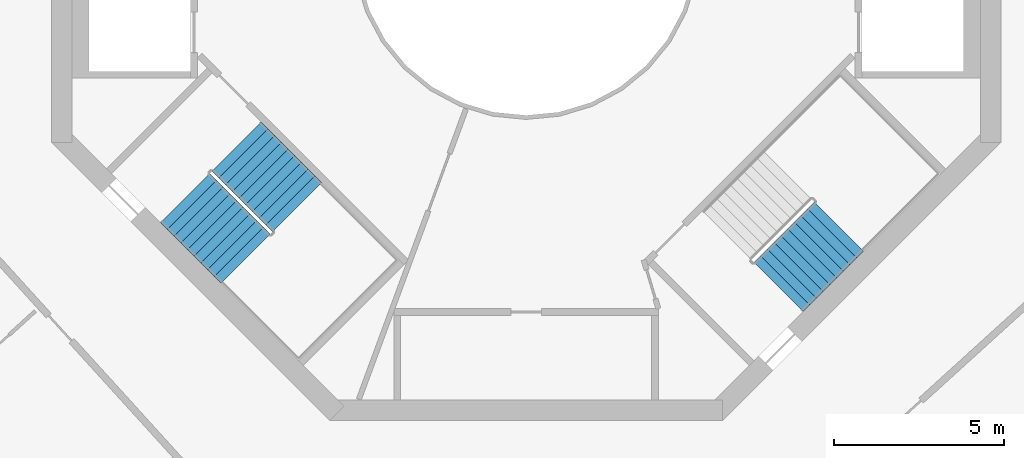
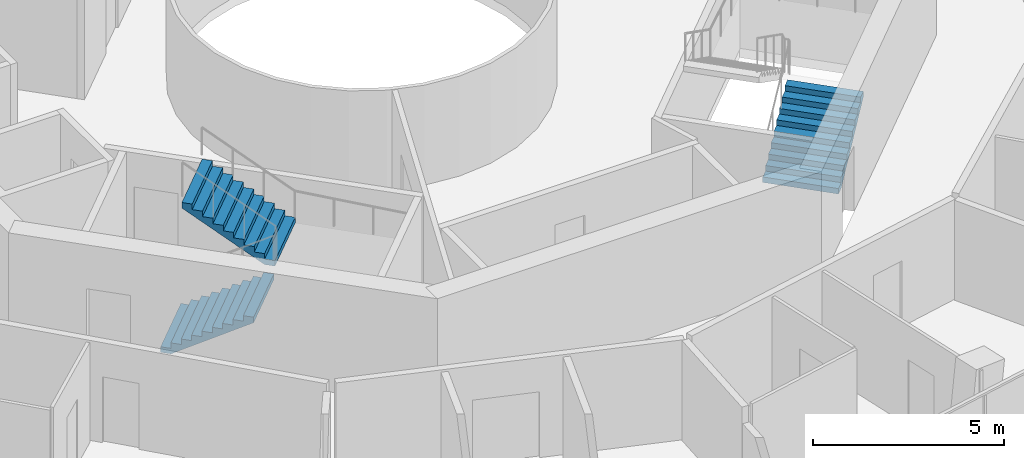
# One storey, part 21 of 23: 3 stair flights, 2 elements without a shape of their own.
"""IFC4 building model written with IfcOpenShell, lengths in metres."""

from ifc_helpers import new_model, si_unit, direction, frame, origin, place, context, subcontext, project, spatial, triangles, material, type_object, element, aggregate, save


model = new_model("IFC4")

# Units and contexts
model_context = context("Model", 3, precision=1e-05, world=origin(), true_north=direction((0.0, 1.0)))
body_context = subcontext(model_context, "Body", "Model", "MODEL_VIEW")
ifc_project = project(units=[si_unit("LENGTHUNIT", "METRE"), si_unit("AREAUNIT", "SQUARE_METRE"), si_unit("VOLUMEUNIT", "CUBIC_METRE"), si_unit("PLANEANGLEUNIT", "RADIAN"), si_unit("MASSUNIT", "GRAM", prefix="KILO")], contexts=[model_context])

# Site, building, storey
site_placement = place(None, origin())
site = spatial("IfcSite", under=ifc_project, at=site_placement, CompositionType="ELEMENT")
building_placement = place(site_placement, origin())
building = spatial("IfcBuilding", under=site, at=building_placement, Name="Verdalira Terraces Hotel", CompositionType="ELEMENT")
storey_placement = place(building_placement, frame((0.0, 0.0, 205.5)))
storey = spatial("IfcBuildingStorey", under=building, at=storey_placement, Name="L50", CompositionType="ELEMENT", Elevation=205.5)

# Stair, stair flights
ifc_material_1 = material(Name="Concrete C40", Category="concrete")
stair_type = type_object("IfcStairType", Name="Core stair 20 risers 2050 mm wide", PredefinedType="HALF_TURN_STAIR", material=ifc_material_1)
stair_1_placement = place(storey_placement, origin())
stair_1 = element("IfcStair", 1, at=stair_1_placement, inside=storey, type_object=stair_type, Name="L50 Exit stair ST2", PredefinedType="HALF_TURN_STAIR")
ifc_material_2 = material(Name="Concrete C40", Category="concrete")
stair_flight_type = type_object("IfcStairFlightType", Name="Core stair flight 20 risers 2050 mm wide", PredefinedType="STRAIGHT", material=ifc_material_2)
stair_flight_1_placement = place(storey_placement, frame((-10.058594, -7.442383, 0.0), z_axis=(0.0, 0.0, 1.0), x_axis=(0.707106781, -0.707106781, 0.0)))
stair_flight_1 = element("IfcStairFlight", 2, at=stair_flight_1_placement, type_object=stair_flight_type, Name="ST2 flight 1", NumberOfRisers=10, NumberOfTreads=9, PredefinedType="STRAIGHT", RiserHeight=0.175, TreadLength=0.28, context=body_context, shape_type="Tessellation", body=[
    triangles([(0.0, 1.025024, 0.0), (0.282715, 1.025024, 0.0), (2.52002, 1.025024, 1.398193), (0.0, -1.025024, 0.0), (0.282715, -1.025024, 0.0), (2.52002, -1.025024, 1.398193), (2.52002, 1.025024, 1.574951), (2.23999, 1.025024, 1.574951), (2.52002, -1.025024, 1.574951), (2.23999, -1.025024, 1.574951), (2.23999, 1.025024, 1.399902), (2.23999, -1.025024, 1.399902), (1.959961, 1.025024, 1.399902), (1.959961, -1.025024, 1.399902), (1.959961, 1.025024, 1.225098), (1.959961, -1.025024, 1.225098), (1.679932, 1.025024, 1.225098), (1.679932, 1.025024, 1.050049), (1.679932, -1.025024, 1.225098), (1.679932, -1.025024, 1.050049), (1.399902, 1.025024, 1.050049), (1.399902, 1.025024, 0.875), (1.399902, -1.025024, 1.050049), (1.399902, -1.025024, 0.875), (1.120117, 1.025024, 0.875), (1.120117, 1.025024, 0.699951), (1.120117, -1.025024, 0.875), (1.120117, -1.025024, 0.699951), (0.840088, 1.025024, 0.699951), (0.840088, 1.025024, 0.524902), (0.840088, -1.025024, 0.699951), (0.840088, -1.025024, 0.524902), (0.560059, 1.025024, 0.524902), (0.560059, 1.025024, 0.350098), (0.560059, -1.025024, 0.524902), (0.560059, -1.025024, 0.350098), (0.280029, 1.025024, 0.350098), (0.280029, 1.025024, 0.175049), (0.280029, -1.025024, 0.350098), (0.280029, -1.025024, 0.175049), (0.0, 1.025024, 0.175049), (0.0, -1.025024, 0.175049), (0.0, -0.96096, 0.0), (0.0, -0.96096, 0.175049), (0.0, -0.896896, 0.0), (0.0, -0.896896, 0.175049), (0.0, -0.832832, 0.0), (0.0, -0.832832, 0.175049), (0.0, -0.768768, 0.0), (0.0, -0.768768, 0.175049), (0.0, -0.704704, 0.0), (0.0, -0.704704, 0.175049), (0.0, -0.64064, 0.0), (0.0, -0.64064, 0.175049), (0.0, -0.576576, 0.0), (0.0, -0.576576, 0.175049), (0.0, -0.512512, 0.0), (0.0, -0.512512, 0.175049), (0.0, -0.448448, 0.0), (0.0, -0.448448, 0.175049), (0.0, -0.384384, 0.0), (0.0, -0.384384, 0.175049), (0.0, -0.32032, 0.0), (0.0, -0.32032, 0.175049), (0.0, -0.256256, 0.0), (0.0, -0.256256, 0.175049), (0.0, -0.192192, 0.0), (0.0, -0.192192, 0.175049), (0.0, -0.128128, 0.0), (0.0, -0.128128, 0.175049), (0.0, -0.064064, 0.0), (0.0, -0.064064, 0.175049), (0.0, 0.0, 0.0), (0.0, 0.0, 0.175049), (0.0, 0.064064, 0.0), (0.0, 0.064064, 0.175049), (0.0, 0.128128, 0.0), (0.0, 0.128128, 0.175049), (0.0, 0.192192, 0.0), (0.0, 0.192192, 0.175049), (0.0, 0.256256, 0.0), (0.0, 0.256256, 0.175049), (0.0, 0.32032, 0.0), (0.0, 0.32032, 0.175049), (0.0, 0.384384, 0.0), (0.0, 0.384384, 0.175049), (0.0, 0.448448, 0.0), (0.0, 0.448448, 0.175049), (0.0, 0.512512, 0.0), (0.0, 0.512512, 0.175049), (0.0, 0.576576, 0.0), (0.0, 0.576576, 0.175049), (0.0, 0.64064, 0.0), (0.0, 0.64064, 0.175049), (0.0, 0.704704, 0.0), (0.0, 0.704704, 0.175049), (0.0, 0.768768, 0.0), (0.0, 0.768768, 0.175049), (0.0, 0.832832, 0.0), (0.0, 0.832832, 0.175049), (0.0, 0.896896, 0.0), (0.0, 0.896896, 0.175049), (0.0, 0.96096, 0.0), (0.0, 0.96096, 0.175049), (2.52002, -0.96096, 1.574951), (2.52002, -0.896896, 1.574951), (2.52002, -0.832832, 1.574951), (2.52002, -0.768768, 1.574951), (2.52002, -0.704704, 1.574951), (2.52002, -0.64064, 1.574951), (2.52002, -0.576576, 1.574951), (2.52002, -0.512512, 1.574951), (2.52002, -0.448448, 1.574951), (2.52002, -0.384384, 1.574951), (2.52002, -0.32032, 1.574951), (2.52002, -0.256256, 1.574951), (2.52002, -0.192192, 1.574951), (2.52002, -0.128128, 1.574951), (2.52002, -0.064064, 1.574951), (2.52002, 0.0, 1.574951), (2.52002, 0.064064, 1.574951), (2.52002, 0.128128, 1.574951), (2.52002, 0.192192, 1.574951), (2.52002, 0.256256, 1.574951), (2.52002, 0.32032, 1.574951), (2.52002, 0.384384, 1.574951), (2.52002, 0.448448, 1.574951), (2.52002, 0.512512, 1.574951), (2.52002, 0.576576, 1.574951), (2.52002, 0.64064, 1.574951), (2.52002, 0.704704, 1.574951), (2.52002, 0.768768, 1.574951), (2.52002, 0.832832, 1.574951), (2.52002, 0.896896, 1.574951), (2.52002, 0.96096, 1.574951), (2.52002, -0.96096, 1.398193), (2.52002, -0.896896, 1.398193), (2.52002, -0.832832, 1.398193), (2.52002, -0.768768, 1.398193), (2.52002, -0.704704, 1.398193), (2.52002, -0.64064, 1.398193), (2.52002, -0.576576, 1.398193), (2.52002, -0.512512, 1.398193), (2.52002, -0.448448, 1.398193), (2.52002, -0.384384, 1.398193), (2.52002, -0.32032, 1.398193), (2.52002, -0.256256, 1.398193), (2.52002, -0.192192, 1.398193), (2.52002, -0.128128, 1.398193), (2.52002, -0.064064, 1.398193), (2.52002, 0.0, 1.398193), (2.52002, 0.064064, 1.398193), (2.52002, 0.128128, 1.398193), (2.52002, 0.192192, 1.398193), (2.52002, 0.256256, 1.398193), (2.52002, 0.32032, 1.398193), (2.52002, 0.384384, 1.398193), (2.52002, 0.448448, 1.398193), (2.52002, 0.512512, 1.398193), (2.52002, 0.576576, 1.398193), (2.52002, 0.64064, 1.398193), (2.52002, 0.704704, 1.398193), (2.52002, 0.768768, 1.398193), (2.52002, 0.832832, 1.398193), (2.52002, 0.896896, 1.398193), (2.52002, 0.96096, 1.398193)], [[1, 3, 2], [4, 5, 6], [3, 8, 7], [6, 9, 10], [3, 11, 8], [6, 10, 12], [3, 13, 11], [6, 12, 14], [3, 15, 13], [6, 14, 16], [15, 18, 17], [16, 19, 20], [3, 18, 15], [6, 16, 20], [18, 22, 21], [20, 23, 24], [3, 22, 18], [6, 20, 24], [22, 26, 25], [24, 27, 28], [3, 26, 22], [6, 24, 28], [26, 30, 29], [28, 31, 32], [3, 30, 26], [6, 28, 32], [1, 30, 3], [4, 6, 32], [30, 34, 33], [32, 35, 36], [34, 38, 37], [36, 39, 40], [30, 38, 34], [32, 36, 40], [1, 38, 30], [4, 32, 40], [38, 1, 41], [40, 42, 4], [4, 44, 43], [4, 42, 44], [43, 46, 45], [43, 44, 46], [45, 48, 47], [45, 46, 48], [47, 50, 49], [47, 48, 50], [49, 52, 51], [49, 50, 52], [51, 54, 53], [51, 52, 54], [53, 56, 55], [53, 54, 56], [55, 58, 57], [55, 56, 58], [57, 60, 59], [57, 58, 60], [59, 62, 61], [59, 60, 62], [61, 64, 63], [61, 62, 64], [63, 66, 65], [63, 64, 66], [65, 68, 67], [65, 66, 68], [67, 70, 69], [67, 68, 70], [69, 72, 71], [69, 70, 72], [71, 74, 73], [71, 72, 74], [73, 76, 75], [73, 74, 76], [75, 78, 77], [75, 76, 78], [77, 80, 79], [77, 78, 80], [79, 82, 81], [79, 80, 82], [81, 84, 83], [81, 82, 84], [83, 86, 85], [83, 84, 86], [85, 88, 87], [85, 86, 88], [87, 90, 89], [87, 88, 90], [89, 92, 91], [89, 90, 92], [91, 94, 93], [91, 92, 94], [93, 96, 95], [93, 94, 96], [95, 98, 97], [95, 96, 98], [97, 100, 99], [97, 98, 100], [99, 102, 101], [99, 100, 102], [101, 104, 103], [101, 102, 104], [103, 41, 1], [103, 104, 41], [42, 40, 44], [44, 40, 46], [46, 40, 48], [48, 40, 50], [50, 40, 52], [52, 40, 54], [54, 40, 56], [56, 40, 58], [58, 40, 60], [60, 40, 62], [62, 40, 64], [64, 40, 66], [66, 40, 68], [68, 40, 70], [70, 40, 72], [72, 40, 74], [74, 40, 76], [76, 40, 78], [78, 40, 80], [80, 40, 82], [82, 40, 84], [84, 40, 86], [86, 40, 88], [88, 40, 90], [90, 40, 92], [92, 40, 94], [94, 40, 96], [96, 40, 98], [98, 40, 100], [100, 40, 102], [102, 40, 104], [104, 40, 41], [41, 40, 38], [40, 37, 38], [40, 39, 37], [39, 34, 37], [39, 36, 34], [36, 33, 34], [36, 35, 33], [35, 30, 33], [35, 32, 30], [32, 29, 30], [32, 31, 29], [31, 26, 29], [31, 28, 26], [28, 25, 26], [28, 27, 25], [27, 22, 25], [27, 24, 22], [24, 21, 22], [24, 23, 21], [23, 18, 21], [23, 20, 18], [20, 17, 18], [20, 19, 17], [19, 15, 17], [19, 16, 15], [16, 13, 15], [16, 14, 13], [14, 11, 13], [14, 12, 11], [12, 8, 11], [12, 10, 8], [9, 105, 10], [105, 106, 10], [106, 107, 10], [107, 108, 10], [108, 109, 10], [109, 110, 10], [110, 111, 10], [111, 112, 10], [112, 113, 10], [113, 114, 10], [114, 115, 10], [115, 116, 10], [116, 117, 10], [117, 118, 10], [118, 119, 10], [119, 120, 10], [120, 121, 10], [121, 122, 10], [122, 123, 10], [123, 124, 10], [124, 125, 10], [125, 126, 10], [126, 127, 10], [127, 128, 10], [128, 129, 10], [129, 130, 10], [130, 131, 10], [131, 132, 10], [132, 133, 10], [133, 134, 10], [134, 135, 10], [135, 7, 10], [7, 8, 10], [9, 136, 105], [9, 6, 136], [105, 137, 106], [105, 136, 137], [106, 138, 107], [106, 137, 138], [107, 139, 108], [107, 138, 139], [108, 140, 109], [108, 139, 140], [109, 141, 110], [109, 140, 141], [110, 142, 111], [110, 141, 142], [111, 143, 112], [111, 142, 143], [112, 144, 113], [112, 143, 144], [113, 145, 114], [113, 144, 145], [114, 146, 115], [114, 145, 146], [115, 147, 116], [115, 146, 147], [116, 148, 117], [116, 147, 148], [117, 149, 118], [117, 148, 149], [118, 150, 119], [118, 149, 150], [119, 151, 120], [119, 150, 151], [120, 152, 121], [120, 151, 152], [121, 153, 122], [121, 152, 153], [122, 154, 123], [122, 153, 154], [123, 155, 124], [123, 154, 155], [124, 156, 125], [124, 155, 156], [125, 157, 126], [125, 156, 157], [126, 158, 127], [126, 157, 158], [127, 159, 128], [127, 158, 159], [128, 160, 129], [128, 159, 160], [129, 161, 130], [129, 160, 161], [130, 162, 131], [130, 161, 162], [131, 163, 132], [131, 162, 163], [132, 164, 133], [132, 163, 164], [133, 165, 134], [133, 164, 165], [134, 166, 135], [134, 165, 166], [135, 3, 7], [135, 166, 3], [6, 5, 136], [136, 5, 137], [137, 5, 138], [138, 5, 139], [139, 5, 140], [140, 5, 141], [141, 5, 142], [142, 5, 143], [143, 5, 144], [144, 5, 145], [145, 5, 146], [146, 5, 147], [147, 5, 148], [148, 5, 149], [149, 5, 150], [150, 5, 151], [151, 5, 152], [152, 5, 153], [153, 5, 154], [154, 5, 155], [155, 5, 156], [156, 5, 157], [157, 5, 158], [158, 5, 159], [159, 5, 160], [160, 5, 161], [161, 5, 162], [162, 5, 163], [163, 5, 164], [164, 5, 165], [165, 5, 166], [166, 5, 3], [3, 5, 2], [4, 43, 5], [43, 45, 5], [45, 47, 5], [47, 49, 5], [49, 51, 5], [51, 53, 5], [53, 55, 5], [55, 57, 5], [57, 59, 5], [59, 61, 5], [61, 63, 5], [63, 65, 5], [65, 67, 5], [67, 69, 5], [69, 71, 5], [71, 73, 5], [73, 75, 5], [75, 77, 5], [77, 79, 5], [79, 81, 5], [81, 83, 5], [83, 85, 5], [85, 87, 5], [87, 89, 5], [89, 91, 5], [91, 93, 5], [93, 95, 5], [95, 97, 5], [97, 99, 5], [99, 101, 5], [101, 103, 5], [103, 1, 5], [1, 2, 5]], closed=True),
])
stair_flight_2_placement = place(storey_placement, frame((-6.756348, -7.703857, 1.75), z_axis=(0.0, 0.0, 1.0), x_axis=(-0.707106781, 0.707106781, 0.0)))
stair_flight_2 = element("IfcStairFlight", 3, at=stair_flight_2_placement, type_object=stair_flight_type, Name="ST2 flight 2", NumberOfRisers=10, NumberOfTreads=9, PredefinedType="STRAIGHT", RiserHeight=0.175, TreadLength=0.28, context=body_context, shape_type="Tessellation", body=[
    triangles([(0.0, 1.025024, 0.0), (0.282715, 1.025024, 0.0), (2.52002, 1.025024, 1.398193), (0.0, -1.025024, 0.0), (0.282715, -1.025024, 0.0), (2.52002, -1.025024, 1.398193), (2.52002, 1.025024, 1.574951), (2.23999, 1.025024, 1.574951), (2.52002, -1.025024, 1.574951), (2.23999, -1.025024, 1.574951), (2.23999, 1.025024, 1.399902), (2.23999, -1.025024, 1.399902), (1.959961, 1.025024, 1.399902), (1.959961, -1.025024, 1.399902), (1.959961, 1.025024, 1.225098), (1.959961, -1.025024, 1.225098), (1.679932, 1.025024, 1.225098), (1.679932, 1.025024, 1.050049), (1.679932, -1.025024, 1.225098), (1.679932, -1.025024, 1.050049), (1.399902, 1.025024, 1.050049), (1.399902, 1.025024, 0.875), (1.399902, -1.025024, 1.050049), (1.399902, -1.025024, 0.875), (1.120117, 1.025024, 0.875), (1.120117, 1.025024, 0.699951), (1.120117, -1.025024, 0.875), (1.120117, -1.025024, 0.699951), (0.840088, 1.025024, 0.699951), (0.840088, 1.025024, 0.524902), (0.840088, -1.025024, 0.699951), (0.840088, -1.025024, 0.524902), (0.560059, 1.025024, 0.524902), (0.560059, 1.025024, 0.350098), (0.560059, -1.025024, 0.524902), (0.560059, -1.025024, 0.350098), (0.280029, 1.025024, 0.350098), (0.280029, 1.025024, 0.175049), (0.280029, -1.025024, 0.350098), (0.280029, -1.025024, 0.175049), (0.0, 1.025024, 0.175049), (0.0, -1.025024, 0.175049), (0.0, -0.96096, 0.0), (0.0, -0.96096, 0.175049), (0.0, -0.896896, 0.0), (0.0, -0.896896, 0.175049), (0.0, -0.832832, 0.0), (0.0, -0.832832, 0.175049), (0.0, -0.768768, 0.0), (0.0, -0.768768, 0.175049), (0.0, -0.704704, 0.0), (0.0, -0.704704, 0.175049), (0.0, -0.64064, 0.0), (0.0, -0.64064, 0.175049), (0.0, -0.576576, 0.0), (0.0, -0.576576, 0.175049), (0.0, -0.512512, 0.0), (0.0, -0.512512, 0.175049), (0.0, -0.448448, 0.0), (0.0, -0.448448, 0.175049), (0.0, -0.384384, 0.0), (0.0, -0.384384, 0.175049), (0.0, -0.32032, 0.0), (0.0, -0.32032, 0.175049), (0.0, -0.256256, 0.0), (0.0, -0.256256, 0.175049), (0.0, -0.192192, 0.0), (0.0, -0.192192, 0.175049), (0.0, -0.128128, 0.0), (0.0, -0.128128, 0.175049), (0.0, -0.064064, 0.0), (0.0, -0.064064, 0.175049), (0.0, 0.0, 0.0), (0.0, 0.0, 0.175049), (0.0, 0.064064, 0.0), (0.0, 0.064064, 0.175049), (0.0, 0.128128, 0.0), (0.0, 0.128128, 0.175049), (0.0, 0.192192, 0.0), (0.0, 0.192192, 0.175049), (0.0, 0.256256, 0.0), (0.0, 0.256256, 0.175049), (0.0, 0.32032, 0.0), (0.0, 0.32032, 0.175049), (0.0, 0.384384, 0.0), (0.0, 0.384384, 0.175049), (0.0, 0.448448, 0.0), (0.0, 0.448448, 0.175049), (0.0, 0.512512, 0.0), (0.0, 0.512512, 0.175049), (0.0, 0.576576, 0.0), (0.0, 0.576576, 0.175049), (0.0, 0.64064, 0.0), (0.0, 0.64064, 0.175049), (0.0, 0.704704, 0.0), (0.0, 0.704704, 0.175049), (0.0, 0.768768, 0.0), (0.0, 0.768768, 0.175049), (0.0, 0.832832, 0.0), (0.0, 0.832832, 0.175049), (0.0, 0.896896, 0.0), (0.0, 0.896896, 0.175049), (0.0, 0.96096, 0.0), (0.0, 0.96096, 0.175049), (2.52002, -0.96096, 1.574951), (2.52002, -0.896896, 1.574951), (2.52002, -0.832832, 1.574951), (2.52002, -0.768768, 1.574951), (2.52002, -0.704704, 1.574951), (2.52002, -0.64064, 1.574951), (2.52002, -0.576576, 1.574951), (2.52002, -0.512512, 1.574951), (2.52002, -0.448448, 1.574951), (2.52002, -0.384384, 1.574951), (2.52002, -0.32032, 1.574951), (2.52002, -0.256256, 1.574951), (2.52002, -0.192192, 1.574951), (2.52002, -0.128128, 1.574951), (2.52002, -0.064064, 1.574951), (2.52002, 0.0, 1.574951), (2.52002, 0.064064, 1.574951), (2.52002, 0.128128, 1.574951), (2.52002, 0.192192, 1.574951), (2.52002, 0.256256, 1.574951), (2.52002, 0.32032, 1.574951), (2.52002, 0.384384, 1.574951), (2.52002, 0.448448, 1.574951), (2.52002, 0.512512, 1.574951), (2.52002, 0.576576, 1.574951), (2.52002, 0.64064, 1.574951), (2.52002, 0.704704, 1.574951), (2.52002, 0.768768, 1.574951), (2.52002, 0.832832, 1.574951), (2.52002, 0.896896, 1.574951), (2.52002, 0.96096, 1.574951), (2.52002, -0.96096, 1.398193), (2.52002, -0.896896, 1.398193), (2.52002, -0.832832, 1.398193), (2.52002, -0.768768, 1.398193), (2.52002, -0.704704, 1.398193), (2.52002, -0.64064, 1.398193), (2.52002, -0.576576, 1.398193), (2.52002, -0.512512, 1.398193), (2.52002, -0.448448, 1.398193), (2.52002, -0.384384, 1.398193), (2.52002, -0.32032, 1.398193), (2.52002, -0.256256, 1.398193), (2.52002, -0.192192, 1.398193), (2.52002, -0.128128, 1.398193), (2.52002, -0.064064, 1.398193), (2.52002, 0.0, 1.398193), (2.52002, 0.064064, 1.398193), (2.52002, 0.128128, 1.398193), (2.52002, 0.192192, 1.398193), (2.52002, 0.256256, 1.398193), (2.52002, 0.32032, 1.398193), (2.52002, 0.384384, 1.398193), (2.52002, 0.448448, 1.398193), (2.52002, 0.512512, 1.398193), (2.52002, 0.576576, 1.398193), (2.52002, 0.64064, 1.398193), (2.52002, 0.704704, 1.398193), (2.52002, 0.768768, 1.398193), (2.52002, 0.832832, 1.398193), (2.52002, 0.896896, 1.398193), (2.52002, 0.96096, 1.398193)], [[1, 3, 2], [4, 5, 6], [3, 8, 7], [6, 9, 10], [3, 11, 8], [6, 10, 12], [3, 13, 11], [6, 12, 14], [3, 15, 13], [6, 14, 16], [15, 18, 17], [16, 19, 20], [3, 18, 15], [6, 16, 20], [18, 22, 21], [20, 23, 24], [3, 22, 18], [6, 20, 24], [22, 26, 25], [24, 27, 28], [3, 26, 22], [6, 24, 28], [26, 30, 29], [28, 31, 32], [3, 30, 26], [6, 28, 32], [1, 30, 3], [4, 6, 32], [30, 34, 33], [32, 35, 36], [34, 38, 37], [36, 39, 40], [30, 38, 34], [32, 36, 40], [1, 38, 30], [4, 32, 40], [38, 1, 41], [40, 42, 4], [4, 44, 43], [4, 42, 44], [43, 46, 45], [43, 44, 46], [45, 48, 47], [45, 46, 48], [47, 50, 49], [47, 48, 50], [49, 52, 51], [49, 50, 52], [51, 54, 53], [51, 52, 54], [53, 56, 55], [53, 54, 56], [55, 58, 57], [55, 56, 58], [57, 60, 59], [57, 58, 60], [59, 62, 61], [59, 60, 62], [61, 64, 63], [61, 62, 64], [63, 66, 65], [63, 64, 66], [65, 68, 67], [65, 66, 68], [67, 70, 69], [67, 68, 70], [69, 72, 71], [69, 70, 72], [71, 74, 73], [71, 72, 74], [73, 76, 75], [73, 74, 76], [75, 78, 77], [75, 76, 78], [77, 80, 79], [77, 78, 80], [79, 82, 81], [79, 80, 82], [81, 84, 83], [81, 82, 84], [83, 86, 85], [83, 84, 86], [85, 88, 87], [85, 86, 88], [87, 90, 89], [87, 88, 90], [89, 92, 91], [89, 90, 92], [91, 94, 93], [91, 92, 94], [93, 96, 95], [93, 94, 96], [95, 98, 97], [95, 96, 98], [97, 100, 99], [97, 98, 100], [99, 102, 101], [99, 100, 102], [101, 104, 103], [101, 102, 104], [103, 41, 1], [103, 104, 41], [42, 40, 44], [44, 40, 46], [46, 40, 48], [48, 40, 50], [50, 40, 52], [52, 40, 54], [54, 40, 56], [56, 40, 58], [58, 40, 60], [60, 40, 62], [62, 40, 64], [64, 40, 66], [66, 40, 68], [68, 40, 70], [70, 40, 72], [72, 40, 74], [74, 40, 76], [76, 40, 78], [78, 40, 80], [80, 40, 82], [82, 40, 84], [84, 40, 86], [86, 40, 88], [88, 40, 90], [90, 40, 92], [92, 40, 94], [94, 40, 96], [96, 40, 98], [98, 40, 100], [100, 40, 102], [102, 40, 104], [104, 40, 41], [41, 40, 38], [40, 37, 38], [40, 39, 37], [39, 34, 37], [39, 36, 34], [36, 33, 34], [36, 35, 33], [35, 30, 33], [35, 32, 30], [32, 29, 30], [32, 31, 29], [31, 26, 29], [31, 28, 26], [28, 25, 26], [28, 27, 25], [27, 22, 25], [27, 24, 22], [24, 21, 22], [24, 23, 21], [23, 18, 21], [23, 20, 18], [20, 17, 18], [20, 19, 17], [19, 15, 17], [19, 16, 15], [16, 13, 15], [16, 14, 13], [14, 11, 13], [14, 12, 11], [12, 8, 11], [12, 10, 8], [9, 105, 10], [105, 106, 10], [106, 107, 10], [107, 108, 10], [108, 109, 10], [109, 110, 10], [110, 111, 10], [111, 112, 10], [112, 113, 10], [113, 114, 10], [114, 115, 10], [115, 116, 10], [116, 117, 10], [117, 118, 10], [118, 119, 10], [119, 120, 10], [120, 121, 10], [121, 122, 10], [122, 123, 10], [123, 124, 10], [124, 125, 10], [125, 126, 10], [126, 127, 10], [127, 128, 10], [128, 129, 10], [129, 130, 10], [130, 131, 10], [131, 132, 10], [132, 133, 10], [133, 134, 10], [134, 135, 10], [135, 7, 10], [7, 8, 10], [9, 136, 105], [9, 6, 136], [105, 137, 106], [105, 136, 137], [106, 138, 107], [106, 137, 138], [107, 139, 108], [107, 138, 139], [108, 140, 109], [108, 139, 140], [109, 141, 110], [109, 140, 141], [110, 142, 111], [110, 141, 142], [111, 143, 112], [111, 142, 143], [112, 144, 113], [112, 143, 144], [113, 145, 114], [113, 144, 145], [114, 146, 115], [114, 145, 146], [115, 147, 116], [115, 146, 147], [116, 148, 117], [116, 147, 148], [117, 149, 118], [117, 148, 149], [118, 150, 119], [118, 149, 150], [119, 151, 120], [119, 150, 151], [120, 152, 121], [120, 151, 152], [121, 153, 122], [121, 152, 153], [122, 154, 123], [122, 153, 154], [123, 155, 124], [123, 154, 155], [124, 156, 125], [124, 155, 156], [125, 157, 126], [125, 156, 157], [126, 158, 127], [126, 157, 158], [127, 159, 128], [127, 158, 159], [128, 160, 129], [128, 159, 160], [129, 161, 130], [129, 160, 161], [130, 162, 131], [130, 161, 162], [131, 163, 132], [131, 162, 163], [132, 164, 133], [132, 163, 164], [133, 165, 134], [133, 164, 165], [134, 166, 135], [134, 165, 166], [135, 3, 7], [135, 166, 3], [6, 5, 136], [136, 5, 137], [137, 5, 138], [138, 5, 139], [139, 5, 140], [140, 5, 141], [141, 5, 142], [142, 5, 143], [143, 5, 144], [144, 5, 145], [145, 5, 146], [146, 5, 147], [147, 5, 148], [148, 5, 149], [149, 5, 150], [150, 5, 151], [151, 5, 152], [152, 5, 153], [153, 5, 154], [154, 5, 155], [155, 5, 156], [156, 5, 157], [157, 5, 158], [158, 5, 159], [159, 5, 160], [160, 5, 161], [161, 5, 162], [162, 5, 163], [163, 5, 164], [164, 5, 165], [165, 5, 166], [166, 5, 3], [3, 5, 2], [4, 43, 5], [43, 45, 5], [45, 47, 5], [47, 49, 5], [49, 51, 5], [51, 53, 5], [53, 55, 5], [55, 57, 5], [57, 59, 5], [59, 61, 5], [61, 63, 5], [63, 65, 5], [65, 67, 5], [67, 69, 5], [69, 71, 5], [71, 73, 5], [73, 75, 5], [75, 77, 5], [77, 79, 5], [79, 81, 5], [81, 83, 5], [83, 85, 5], [85, 87, 5], [87, 89, 5], [89, 91, 5], [91, 93, 5], [93, 95, 5], [95, 97, 5], [97, 99, 5], [99, 101, 5], [101, 103, 5], [103, 1, 5], [1, 2, 5]], closed=True),
])
aggregate(stair_1, [stair_flight_1, stair_flight_2])

# Stair, stair flight
stair_2_placement = place(storey_placement, origin())
stair_2 = element("IfcStair", 4, at=stair_2_placement, inside=storey, type_object=stair_type, Name="L50 Exit stair ST3", PredefinedType="HALF_TURN_STAIR")
stair_flight_3_placement = place(storey_placement, frame((7.442383, -10.058594, 0.0), z_axis=(0.0, 0.0, 1.0), x_axis=(0.707106781, 0.707106781, 0.0)))
stair_flight_3 = element("IfcStairFlight", 5, at=stair_flight_3_placement, type_object=stair_flight_type, Name="ST3 flight 1", NumberOfRisers=10, NumberOfTreads=9, PredefinedType="STRAIGHT", RiserHeight=0.175, TreadLength=0.28, context=body_context, shape_type="Tessellation", body=[
    triangles([(0.0, 1.025024, 0.0), (0.282715, 1.025024, 0.0), (2.52002, 1.025024, 1.398193), (0.0, -1.025024, 0.0), (0.282715, -1.025024, 0.0), (2.52002, -1.025024, 1.398193), (2.52002, 1.025024, 1.574951), (2.23999, 1.025024, 1.574951), (2.52002, -1.025024, 1.574951), (2.23999, -1.025024, 1.574951), (2.23999, 1.025024, 1.399902), (2.23999, -1.025024, 1.399902), (1.959961, 1.025024, 1.399902), (1.959961, -1.025024, 1.399902), (1.959961, 1.025024, 1.225098), (1.959961, -1.025024, 1.225098), (1.679932, 1.025024, 1.225098), (1.679932, 1.025024, 1.050049), (1.679932, -1.025024, 1.225098), (1.679932, -1.025024, 1.050049), (1.399902, 1.025024, 1.050049), (1.399902, 1.025024, 0.875), (1.399902, -1.025024, 1.050049), (1.399902, -1.025024, 0.875), (1.120117, 1.025024, 0.875), (1.120117, 1.025024, 0.699951), (1.120117, -1.025024, 0.875), (1.120117, -1.025024, 0.699951), (0.840088, 1.025024, 0.699951), (0.840088, 1.025024, 0.524902), (0.840088, -1.025024, 0.699951), (0.840088, -1.025024, 0.524902), (0.560059, 1.025024, 0.524902), (0.560059, 1.025024, 0.350098), (0.560059, -1.025024, 0.524902), (0.560059, -1.025024, 0.350098), (0.280029, 1.025024, 0.350098), (0.280029, 1.025024, 0.175049), (0.280029, -1.025024, 0.350098), (0.280029, -1.025024, 0.175049), (0.0, 1.025024, 0.175049), (0.0, -1.025024, 0.175049), (0.0, -0.96096, 0.0), (0.0, -0.96096, 0.175049), (0.0, -0.896896, 0.0), (0.0, -0.896896, 0.175049), (0.0, -0.832832, 0.0), (0.0, -0.832832, 0.175049), (0.0, -0.768768, 0.0), (0.0, -0.768768, 0.175049), (0.0, -0.704704, 0.0), (0.0, -0.704704, 0.175049), (0.0, -0.64064, 0.0), (0.0, -0.64064, 0.175049), (0.0, -0.576576, 0.0), (0.0, -0.576576, 0.175049), (0.0, -0.512512, 0.0), (0.0, -0.512512, 0.175049), (0.0, -0.448448, 0.0), (0.0, -0.448448, 0.175049), (0.0, -0.384384, 0.0), (0.0, -0.384384, 0.175049), (0.0, -0.32032, 0.0), (0.0, -0.32032, 0.175049), (0.0, -0.256256, 0.0), (0.0, -0.256256, 0.175049), (0.0, -0.192192, 0.0), (0.0, -0.192192, 0.175049), (0.0, -0.128128, 0.0), (0.0, -0.128128, 0.175049), (0.0, -0.064064, 0.0), (0.0, -0.064064, 0.175049), (0.0, 0.0, 0.0), (0.0, 0.0, 0.175049), (0.0, 0.064064, 0.0), (0.0, 0.064064, 0.175049), (0.0, 0.128128, 0.0), (0.0, 0.128128, 0.175049), (0.0, 0.192192, 0.0), (0.0, 0.192192, 0.175049), (0.0, 0.256256, 0.0), (0.0, 0.256256, 0.175049), (0.0, 0.32032, 0.0), (0.0, 0.32032, 0.175049), (0.0, 0.384384, 0.0), (0.0, 0.384384, 0.175049), (0.0, 0.448448, 0.0), (0.0, 0.448448, 0.175049), (0.0, 0.512512, 0.0), (0.0, 0.512512, 0.175049), (0.0, 0.576576, 0.0), (0.0, 0.576576, 0.175049), (0.0, 0.64064, 0.0), (0.0, 0.64064, 0.175049), (0.0, 0.704704, 0.0), (0.0, 0.704704, 0.175049), (0.0, 0.768768, 0.0), (0.0, 0.768768, 0.175049), (0.0, 0.832832, 0.0), (0.0, 0.832832, 0.175049), (0.0, 0.896896, 0.0), (0.0, 0.896896, 0.175049), (0.0, 0.96096, 0.0), (0.0, 0.96096, 0.175049), (2.52002, -0.96096, 1.574951), (2.52002, -0.896896, 1.574951), (2.52002, -0.832832, 1.574951), (2.52002, -0.768768, 1.574951), (2.52002, -0.704704, 1.574951), (2.52002, -0.64064, 1.574951), (2.52002, -0.576576, 1.574951), (2.52002, -0.512512, 1.574951), (2.52002, -0.448448, 1.574951), (2.52002, -0.384384, 1.574951), (2.52002, -0.32032, 1.574951), (2.52002, -0.256256, 1.574951), (2.52002, -0.192192, 1.574951), (2.52002, -0.128128, 1.574951), (2.52002, -0.064064, 1.574951), (2.52002, 0.0, 1.574951), (2.52002, 0.064064, 1.574951), (2.52002, 0.128128, 1.574951), (2.52002, 0.192192, 1.574951), (2.52002, 0.256256, 1.574951), (2.52002, 0.32032, 1.574951), (2.52002, 0.384384, 1.574951), (2.52002, 0.448448, 1.574951), (2.52002, 0.512512, 1.574951), (2.52002, 0.576576, 1.574951), (2.52002, 0.64064, 1.574951), (2.52002, 0.704704, 1.574951), (2.52002, 0.768768, 1.574951), (2.52002, 0.832832, 1.574951), (2.52002, 0.896896, 1.574951), (2.52002, 0.96096, 1.574951), (2.52002, -0.96096, 1.398193), (2.52002, -0.896896, 1.398193), (2.52002, -0.832832, 1.398193), (2.52002, -0.768768, 1.398193), (2.52002, -0.704704, 1.398193), (2.52002, -0.64064, 1.398193), (2.52002, -0.576576, 1.398193), (2.52002, -0.512512, 1.398193), (2.52002, -0.448448, 1.398193), (2.52002, -0.384384, 1.398193), (2.52002, -0.32032, 1.398193), (2.52002, -0.256256, 1.398193), (2.52002, -0.192192, 1.398193), (2.52002, -0.128128, 1.398193), (2.52002, -0.064064, 1.398193), (2.52002, 0.0, 1.398193), (2.52002, 0.064064, 1.398193), (2.52002, 0.128128, 1.398193), (2.52002, 0.192192, 1.398193), (2.52002, 0.256256, 1.398193), (2.52002, 0.32032, 1.398193), (2.52002, 0.384384, 1.398193), (2.52002, 0.448448, 1.398193), (2.52002, 0.512512, 1.398193), (2.52002, 0.576576, 1.398193), (2.52002, 0.64064, 1.398193), (2.52002, 0.704704, 1.398193), (2.52002, 0.768768, 1.398193), (2.52002, 0.832832, 1.398193), (2.52002, 0.896896, 1.398193), (2.52002, 0.96096, 1.398193)], [[1, 3, 2], [4, 5, 6], [3, 8, 7], [6, 9, 10], [3, 11, 8], [6, 10, 12], [3, 13, 11], [6, 12, 14], [3, 15, 13], [6, 14, 16], [15, 18, 17], [16, 19, 20], [3, 18, 15], [6, 16, 20], [18, 22, 21], [20, 23, 24], [3, 22, 18], [6, 20, 24], [22, 26, 25], [24, 27, 28], [3, 26, 22], [6, 24, 28], [26, 30, 29], [28, 31, 32], [3, 30, 26], [6, 28, 32], [1, 30, 3], [4, 6, 32], [30, 34, 33], [32, 35, 36], [34, 38, 37], [36, 39, 40], [30, 38, 34], [32, 36, 40], [1, 38, 30], [4, 32, 40], [38, 1, 41], [40, 42, 4], [4, 44, 43], [4, 42, 44], [43, 46, 45], [43, 44, 46], [45, 48, 47], [45, 46, 48], [47, 50, 49], [47, 48, 50], [49, 52, 51], [49, 50, 52], [51, 54, 53], [51, 52, 54], [53, 56, 55], [53, 54, 56], [55, 58, 57], [55, 56, 58], [57, 60, 59], [57, 58, 60], [59, 62, 61], [59, 60, 62], [61, 64, 63], [61, 62, 64], [63, 66, 65], [63, 64, 66], [65, 68, 67], [65, 66, 68], [67, 70, 69], [67, 68, 70], [69, 72, 71], [69, 70, 72], [71, 74, 73], [71, 72, 74], [73, 76, 75], [73, 74, 76], [75, 78, 77], [75, 76, 78], [77, 80, 79], [77, 78, 80], [79, 82, 81], [79, 80, 82], [81, 84, 83], [81, 82, 84], [83, 86, 85], [83, 84, 86], [85, 88, 87], [85, 86, 88], [87, 90, 89], [87, 88, 90], [89, 92, 91], [89, 90, 92], [91, 94, 93], [91, 92, 94], [93, 96, 95], [93, 94, 96], [95, 98, 97], [95, 96, 98], [97, 100, 99], [97, 98, 100], [99, 102, 101], [99, 100, 102], [101, 104, 103], [101, 102, 104], [103, 41, 1], [103, 104, 41], [42, 40, 44], [44, 40, 46], [46, 40, 48], [48, 40, 50], [50, 40, 52], [52, 40, 54], [54, 40, 56], [56, 40, 58], [58, 40, 60], [60, 40, 62], [62, 40, 64], [64, 40, 66], [66, 40, 68], [68, 40, 70], [70, 40, 72], [72, 40, 74], [74, 40, 76], [76, 40, 78], [78, 40, 80], [80, 40, 82], [82, 40, 84], [84, 40, 86], [86, 40, 88], [88, 40, 90], [90, 40, 92], [92, 40, 94], [94, 40, 96], [96, 40, 98], [98, 40, 100], [100, 40, 102], [102, 40, 104], [104, 40, 41], [41, 40, 38], [40, 37, 38], [40, 39, 37], [39, 34, 37], [39, 36, 34], [36, 33, 34], [36, 35, 33], [35, 30, 33], [35, 32, 30], [32, 29, 30], [32, 31, 29], [31, 26, 29], [31, 28, 26], [28, 25, 26], [28, 27, 25], [27, 22, 25], [27, 24, 22], [24, 21, 22], [24, 23, 21], [23, 18, 21], [23, 20, 18], [20, 17, 18], [20, 19, 17], [19, 15, 17], [19, 16, 15], [16, 13, 15], [16, 14, 13], [14, 11, 13], [14, 12, 11], [12, 8, 11], [12, 10, 8], [9, 105, 10], [105, 106, 10], [106, 107, 10], [107, 108, 10], [108, 109, 10], [109, 110, 10], [110, 111, 10], [111, 112, 10], [112, 113, 10], [113, 114, 10], [114, 115, 10], [115, 116, 10], [116, 117, 10], [117, 118, 10], [118, 119, 10], [119, 120, 10], [120, 121, 10], [121, 122, 10], [122, 123, 10], [123, 124, 10], [124, 125, 10], [125, 126, 10], [126, 127, 10], [127, 128, 10], [128, 129, 10], [129, 130, 10], [130, 131, 10], [131, 132, 10], [132, 133, 10], [133, 134, 10], [134, 135, 10], [135, 7, 10], [7, 8, 10], [9, 136, 105], [9, 6, 136], [105, 137, 106], [105, 136, 137], [106, 138, 107], [106, 137, 138], [107, 139, 108], [107, 138, 139], [108, 140, 109], [108, 139, 140], [109, 141, 110], [109, 140, 141], [110, 142, 111], [110, 141, 142], [111, 143, 112], [111, 142, 143], [112, 144, 113], [112, 143, 144], [113, 145, 114], [113, 144, 145], [114, 146, 115], [114, 145, 146], [115, 147, 116], [115, 146, 147], [116, 148, 117], [116, 147, 148], [117, 149, 118], [117, 148, 149], [118, 150, 119], [118, 149, 150], [119, 151, 120], [119, 150, 151], [120, 152, 121], [120, 151, 152], [121, 153, 122], [121, 152, 153], [122, 154, 123], [122, 153, 154], [123, 155, 124], [123, 154, 155], [124, 156, 125], [124, 155, 156], [125, 157, 126], [125, 156, 157], [126, 158, 127], [126, 157, 158], [127, 159, 128], [127, 158, 159], [128, 160, 129], [128, 159, 160], [129, 161, 130], [129, 160, 161], [130, 162, 131], [130, 161, 162], [131, 163, 132], [131, 162, 163], [132, 164, 133], [132, 163, 164], [133, 165, 134], [133, 164, 165], [134, 166, 135], [134, 165, 166], [135, 3, 7], [135, 166, 3], [6, 5, 136], [136, 5, 137], [137, 5, 138], [138, 5, 139], [139, 5, 140], [140, 5, 141], [141, 5, 142], [142, 5, 143], [143, 5, 144], [144, 5, 145], [145, 5, 146], [146, 5, 147], [147, 5, 148], [148, 5, 149], [149, 5, 150], [150, 5, 151], [151, 5, 152], [152, 5, 153], [153, 5, 154], [154, 5, 155], [155, 5, 156], [156, 5, 157], [157, 5, 158], [158, 5, 159], [159, 5, 160], [160, 5, 161], [161, 5, 162], [162, 5, 163], [163, 5, 164], [164, 5, 165], [165, 5, 166], [166, 5, 3], [3, 5, 2], [4, 43, 5], [43, 45, 5], [45, 47, 5], [47, 49, 5], [49, 51, 5], [51, 53, 5], [53, 55, 5], [55, 57, 5], [57, 59, 5], [59, 61, 5], [61, 63, 5], [63, 65, 5], [65, 67, 5], [67, 69, 5], [69, 71, 5], [71, 73, 5], [73, 75, 5], [75, 77, 5], [77, 79, 5], [79, 81, 5], [81, 83, 5], [83, 85, 5], [85, 87, 5], [87, 89, 5], [89, 91, 5], [91, 93, 5], [93, 95, 5], [95, 97, 5], [97, 99, 5], [99, 101, 5], [101, 103, 5], [103, 1, 5], [1, 2, 5]], closed=True),
])
aggregate(stair_2, [stair_flight_3])

save(model, "model.ifc")
